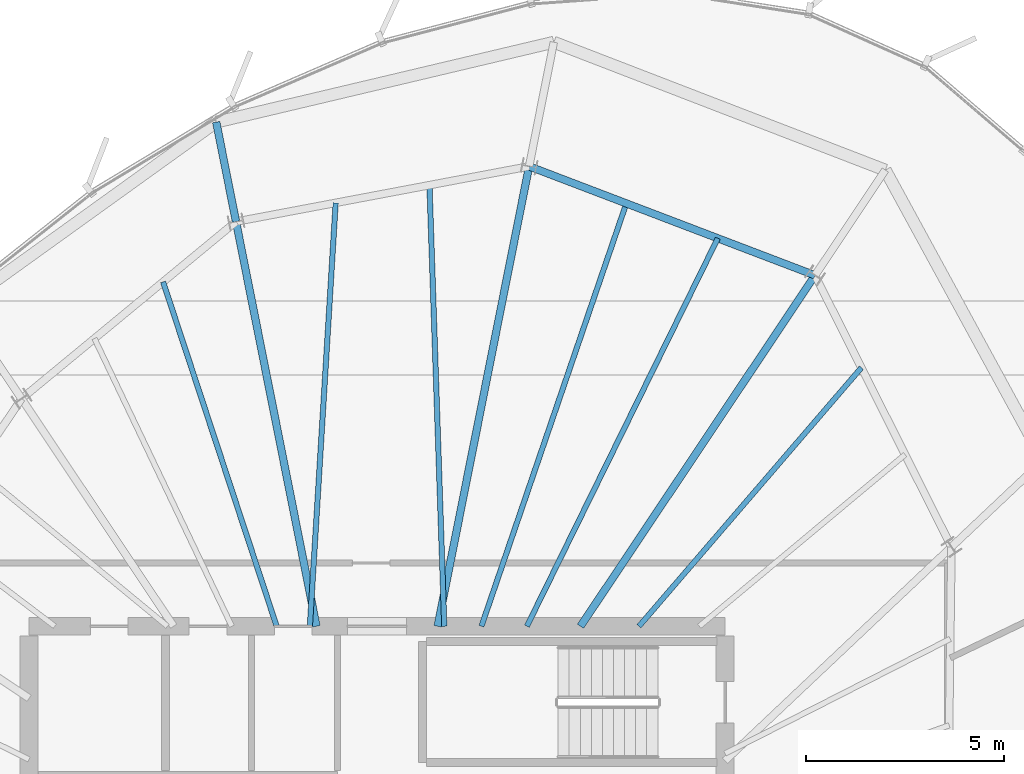
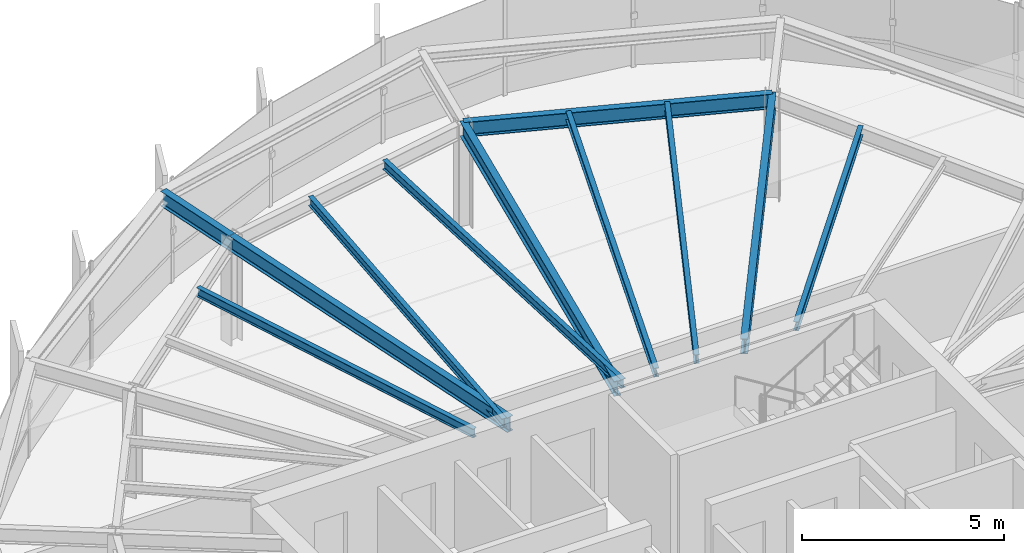
# One storey, part 20 of 33: 11 beams.
"""IFC4 building model written with IfcOpenShell, lengths in metres."""

import ifcopenshell
import ifcopenshell.guid

model = None  # the IFC model being written
_history = None  # IfcOwnerHistory: only IFC2X3 demands one
_inside = {}  # id of a spatial element -> (the spatial element, [elements in it])
_under = {}  # id of a project, library or spatial element -> (it, [spatial elements below it])
_declared = {}  # id of a project -> (the project, [libraries it declares])
_typed = {}  # id of a type object -> (the type object, [elements of that type])
_made_of = {}  # id of a material, layer set ... -> (it, [elements and type objects made of it])


def new_model(schema):
    """Start an empty IFC model of exactly this schema.

    Asked for "IFC4X3", IfcOpenShell would pick the latest addendum, in which some entities
    have other attributes; the version numbers below select the first issue.
    IFC2X3 requires an IfcOwnerHistory on every rooted entity: one is made here for all.
    """
    global model, _history
    if schema == "IFC4X3":
        model = ifcopenshell.file(schema_version=(4, 3, 0, 0))
    else:
        model = ifcopenshell.file(schema=schema)
    _inside.clear()
    _under.clear()
    _declared.clear()
    _typed.clear()
    _made_of.clear()
    _history = None
    if model.schema == "IFC2X3":
        org = make("IfcOrganization", Name="unknown")
        user = make(
            "IfcPersonAndOrganization",
            ThePerson=make("IfcPerson", FamilyName="unknown"),
            TheOrganization=org,
        )
        app = make(
            "IfcApplication",
            ApplicationDeveloper=org,
            Version="unknown",
            ApplicationFullName="unknown",
            ApplicationIdentifier="unknown",
        )
        _history = make(
            "IfcOwnerHistory",
            OwningUser=user,
            OwningApplication=app,
            ChangeAction="ADDED",
            CreationDate=0,
        )
    return model


def make(cls, **values):
    """One entity of the class cls with the attributes given. An attribute that is None is left unset."""
    return model.create_entity(
        cls, **{name: value for name, value in values.items() if value is not None}
    )


def rooted(cls, **values):
    """An entity with a GlobalId (a new one), such as an element, a storey or a relation."""
    return make(cls, GlobalId=ifcopenshell.guid.new(), OwnerHistory=_history, **values)


def si_unit(unit_type, name, prefix=None):
    """IfcSIUnit, for example si_unit("LENGTHUNIT", "METRE", prefix="MILLI")."""
    return make("IfcSIUnit", UnitType=unit_type, Prefix=prefix, Name=name)


def assignment(units):
    """IfcUnitAssignment: the units of a project."""
    return None if units is None else make("IfcUnitAssignment", Units=units)


def point(xyz):
    """IfcCartesianPoint."""
    return None if xyz is None else make("IfcCartesianPoint", Coordinates=xyz)


def direction(xyz):
    """IfcDirection."""
    return None if xyz is None else make("IfcDirection", DirectionRatios=xyz)


def frame(location, z_axis=None, x_axis=None):
    """IfcAxis2Placement3D, a coordinate frame: its origin and axes. An axis left out is left unset."""
    return make(
        "IfcAxis2Placement3D",
        Location=point(location),
        Axis=direction(z_axis),
        RefDirection=direction(x_axis),
    )


def frame_2d(location, x_axis=None):
    """IfcAxis2Placement2D, a coordinate frame in the plane: its origin and x axis."""
    return make(
        "IfcAxis2Placement2D", Location=point(location), RefDirection=direction(x_axis)
    )


def origin():
    """The frame at (0, 0, 0) with its axes left unset."""
    return frame((0.0, 0.0, 0.0))


def origin_2d():
    """The frame at (0, 0) in the plane with its x axis left unset."""
    return frame_2d((0.0, 0.0))


def place(relative_to, where):
    """IfcLocalPlacement: puts the frame where relative to a parent placement (None: the world)."""
    return make(
        "IfcLocalPlacement", PlacementRelTo=relative_to, RelativePlacement=where
    )


def context(
    kind, dimensions, precision=None, world=None, true_north=None, identifier=None
):
    """IfcGeometricRepresentationContext, for example the 3D "Model" context."""
    return make(
        "IfcGeometricRepresentationContext",
        ContextIdentifier=identifier,
        ContextType=kind,
        CoordinateSpaceDimension=dimensions,
        Precision=precision,
        WorldCoordinateSystem=world,
        TrueNorth=true_north,
    )


def subcontext(parent, identifier, kind, view, scale=None):
    """IfcGeometricRepresentationSubContext, for example "Body" below "Model"."""
    return make(
        "IfcGeometricRepresentationSubContext",
        ContextIdentifier=identifier,
        ContextType=kind,
        ParentContext=parent,
        TargetScale=scale,
        TargetView=view,
    )


def project(units=None, contexts=None):
    """IfcProject with its units and contexts."""
    return rooted(
        "IfcProject",
        Name="project",
        RepresentationContexts=contexts,
        UnitsInContext=assignment(units),
    )


def spatial(cls, under=None, at=None, **own):
    """A site, building, storey or space (cls), placed at a placement, below another one or the project."""
    s = rooted(cls, ObjectPlacement=at, **own)
    if under is not None:
        _under.setdefault(under.id(), (under, []))[1].append(s)
    return s


def profile(cls, at=None, kind="AREA", **sizes):
    """A parametric profile (cls). Its sizes go by their IFC names, for example OverallWidth=200.0."""
    return make(cls, ProfileType=kind, Position=at, **sizes)


def i_section(**sizes):
    """IfcIShapeProfileDef."""
    return profile("IfcIShapeProfileDef", **sizes)


def extrude(swept, where, along, depth):
    """IfcExtrudedAreaSolid: the profile swept, set in the frame where, extruded along a direction by depth."""
    return make(
        "IfcExtrudedAreaSolid",
        SweptArea=swept,
        Position=where,
        ExtrudedDirection=direction(along),
        Depth=depth,
    )


def shape(context_of_items, identifier, shape_type, items):
    """IfcShapeRepresentation: the items that make up one representation, for example the "Body"."""
    return make(
        "IfcShapeRepresentation",
        ContextOfItems=context_of_items,
        RepresentationIdentifier=identifier,
        RepresentationType=shape_type,
        Items=items,
    )


def source(mapping_origin, context_of_items, identifier, shape_type, items):
    """IfcRepresentationMap: a shape defined once, which mapped items show again and again."""
    return make(
        "IfcRepresentationMap",
        MappingOrigin=mapping_origin,
        MappedRepresentation=shape(context_of_items, identifier, shape_type, items),
    )


def transform(
    local_origin,
    x_axis=None,
    y_axis=None,
    z_axis=None,
    scale=None,
    scale2=None,
    scale3=None,
    uniform=True,
):
    """IfcCartesianTransformationOperator3D, or its non-uniform kind. x_axis, y_axis, z_axis: its Axis1, 2, 3."""
    if uniform:
        return make(
            "IfcCartesianTransformationOperator3D",
            Axis1=direction(x_axis),
            Axis2=direction(y_axis),
            LocalOrigin=point(local_origin),
            Scale=scale,
            Axis3=direction(z_axis),
        )
    return make(
        "IfcCartesianTransformationOperator3DnonUniform",
        Axis1=direction(x_axis),
        Axis2=direction(y_axis),
        LocalOrigin=point(local_origin),
        Scale=scale,
        Axis3=direction(z_axis),
        Scale2=scale2,
        Scale3=scale3,
    )


def mapped(mapping_source, mapping_target):
    """IfcMappedItem: shows the shape of a source again, moved by a transform."""
    return make(
        "IfcMappedItem", MappingSource=mapping_source, MappingTarget=mapping_target
    )


def material(Name=None, Category=None):
    """IfcMaterial."""
    return make("IfcMaterial", Name=Name, Category=Category)


def material_profile(
    of_material, cross_section, Name=None, Category=None, Priority=None
):
    """IfcMaterialProfile: a cross section and its material."""
    return make(
        "IfcMaterialProfile",
        Name=Name,
        Material=of_material,
        Profile=cross_section,
        Priority=Priority,
        Category=Category,
    )


def profile_set(profiles, Name=None, composite=None):
    """IfcMaterialProfileSet."""
    return make(
        "IfcMaterialProfileSet",
        Name=Name,
        MaterialProfiles=profiles,
        CompositeProfile=composite,
    )


def made_of(thing, what):
    """Note that an element or type object is made of a material, layer set ...; save() writes the relation."""
    if what is not None:
        _made_of.setdefault(what.id(), (what, []))[1].append(thing)
    return thing


def type_object(cls, material=None, **own):
    """A type object (cls), such as IfcWallType, which elements share."""
    return made_of(rooted(cls, **own), material)


def element(
    cls,
    number,
    at=None,
    inside=None,
    cuts=None,
    type_object=None,
    material=None,
    context=None,
    identifier="Body",
    shape_type=None,
    held_by="IfcProductDefinitionShape",
    body=None,
    shapes=None,
    **own,
):
    """One element of the class cls, such as IfcWall. Its Tag is "e" and its number.

    at: its placement. inside: the storey or other place that contains it. cuts: it is an
    opening in that element (IfcRelVoidsElement). A single representation is given by context,
    identifier, shape_type and body (its items); several are given by shapes. held_by: the class
    of the entity that holds the representations. save() writes the other relations.
    """
    e = rooted(cls, Tag="e%d" % number, ObjectPlacement=at, **own)
    if body is not None:
        shapes = [shape(context, identifier, shape_type, body)]
    if shapes is not None:
        e.Representation = make(held_by, Representations=shapes)
    if inside is not None:
        _inside.setdefault(inside.id(), (inside, []))[1].append(e)
    if cuts is not None:
        rooted(
            "IfcRelVoidsElement", RelatingBuildingElement=cuts, RelatedOpeningElement=e
        )
    if type_object is not None:
        _typed.setdefault(type_object.id(), (type_object, []))[1].append(e)
    return made_of(e, material)


def aggregate(whole, parts):
    """IfcRelAggregates: a whole, such as a stair, and the parts it consists of."""
    return rooted("IfcRelAggregates", RelatingObject=whole, RelatedObjects=parts)


def save(model, path):
    """Write the relations noted so far, then the file.

    IfcRelAggregates (storeys below a building ...), IfcRelContainedInSpatialStructure (elements
    in a storey), IfcRelDefinesByType, IfcRelAssociatesMaterial and IfcRelDeclares: one each for
    every whole, place, type object, material and project.
    """
    for whole, parts in _under.values():
        aggregate(whole, parts)
    for where, things in _inside.values():
        rooted(
            "IfcRelContainedInSpatialStructure",
            RelatedElements=things,
            RelatingStructure=where,
        )
    for kind, things in _typed.values():
        rooted("IfcRelDefinesByType", RelatedObjects=things, RelatingType=kind)
    for what, things in _made_of.values():
        rooted("IfcRelAssociatesMaterial", RelatedObjects=things, RelatingMaterial=what)
    for by, libraries in _declared.values():
        rooted("IfcRelDeclares", RelatingContext=by, RelatedDefinitions=libraries)
    model.write(path)


model = new_model("IFC4")

# Units and contexts
model_context = context("Model", 3, precision=1e-05, world=origin(), true_north=direction((0.0, 1.0)))
body_context = subcontext(model_context, "Body", "Model", "MODEL_VIEW")
ifc_project = project(units=[si_unit("LENGTHUNIT", "METRE"), si_unit("AREAUNIT", "SQUARE_METRE"), si_unit("VOLUMEUNIT", "CUBIC_METRE"), si_unit("PLANEANGLEUNIT", "RADIAN"), si_unit("MASSUNIT", "GRAM", prefix="KILO"), si_unit("THERMODYNAMICTEMPERATUREUNIT", "KELVIN")], contexts=[model_context])

# Site, building, storey
site_placement = place(None, origin())
site = spatial("IfcSite", under=ifc_project, at=site_placement, CompositionType="ELEMENT")
building_placement = place(site_placement, origin())
building = spatial("IfcBuilding", under=site, at=building_placement, Name="Kethvar Cultural Tower", CompositionType="ELEMENT")
storey_placement = place(building_placement, frame((0.0, 0.0, 266.35009765625)))
storey = spatial("IfcBuildingStorey", under=building, at=storey_placement, Name="L70", CompositionType="ELEMENT", Elevation=266.35009765625)

# Beams
ifc_material = material(Name="Steel S355J2", Category="steel")
ifc_material_profile_1 = material_profile(ifc_material, i_section(OverallWidth=0.18994140625, OverallDepth=0.449951171875, WebThickness=0.009521484375, FlangeThickness=0.0146484375, FilletRadius=0.02099609375, at=origin_2d()), Name="Steel S355J2 — IPE450")
ifc_profile_set_1 = profile_set([ifc_material_profile_1], Name="Steel S355J2 — IPE450")
beam_type_1 = type_object("IfcBeamType", Name="BM-IPE450", PredefinedType="BEAM", material=ifc_profile_set_1)
shared_shape_1 = source(origin(), body_context, "Body", "SweptSolid", [
    extrude(i_section(OverallWidth=0.18994140625, OverallDepth=0.449951171875, WebThickness=0.009521484375, FlangeThickness=0.0146484375, FilletRadius=0.02099609375, at=origin_2d()), origin(), (0.0, 0.0, 1.0), 10.673828125),
])
beam_1_placement = place(storey_placement, frame((51.945068359375, 35.5, 2.98291015625), z_axis=(0.555576086183, 0.831465701314, 0.0), x_axis=(-0.831465701314, 0.555576086183, 0.0)))
element("IfcBeam", 1, at=beam_1_placement, inside=storey, type_object=beam_type_1, Name="L70 Primary Radial Beam RB-03", PredefinedType="BEAM", context=body_context, shape_type="MappedRepresentation", body=[
    mapped(shared_shape_1, transform((0.0, 0.0, 0.0), scale=1.0)),
])
shared_shape_2 = source(origin(), body_context, "Body", "SweptSolid", [
    extrude(i_section(OverallWidth=0.18994140625, OverallDepth=0.449951171875, WebThickness=0.009521484375, FlangeThickness=0.0146484375, FilletRadius=0.02099609375, at=origin_2d()), origin(), (0.0, 0.0, 1.0), 11.859375),
])
beam_2_placement = place(storey_placement, frame((48.33154296875, 35.5, 2.98291015625), z_axis=(0.195094640585, 0.980784421377, 0.0), x_axis=(-0.980784421377, 0.195094640585, 0.0)))
element("IfcBeam", 2, at=beam_2_placement, inside=storey, type_object=beam_type_1, Name="L70 Primary Radial Beam RB-04", PredefinedType="BEAM", context=body_context, shape_type="MappedRepresentation", body=[
    mapped(shared_shape_2, transform((0.0, 0.0, 0.0), scale=1.0)),
])
shared_shape_3 = source(origin(), body_context, "Body", "SweptSolid", [
    extrude(i_section(OverallWidth=0.18994140625, OverallDepth=0.449951171875, WebThickness=0.009521484375, FlangeThickness=0.0146484375, FilletRadius=0.02099609375, at=origin_2d()), origin(), (0.0, 0.0, 1.0), 10.432861328125),
])
beam_3_placement = place(storey_placement, frame((45.268310546875, 35.5, 2.98291015625), z_axis=(-0.195094483249, 0.980784452673, 0.0), x_axis=(-0.980784452673, -0.195094483249, 0.0)))
element("IfcBeam", 3, at=beam_3_placement, inside=storey, type_object=beam_type_1, Name="L70 Primary Radial Beam RB-05", PredefinedType="BEAM", context=body_context, shape_type="MappedRepresentation", body=[
    mapped(shared_shape_3, transform((0.0, 0.0, 0.0), scale=1.0)),
])
ifc_material_profile_2 = material_profile(ifc_material, i_section(OverallWidth=0.135009765625, OverallDepth=0.27001953125, WebThickness=0.006591796875, FlangeThickness=0.01025390625, FilletRadius=0.014892578125, at=origin_2d()), Name="Steel S355J2 — IPE270")
ifc_profile_set_2 = profile_set([ifc_material_profile_2], Name="Steel S355J2 — IPE270")
beam_type_2 = type_object("IfcBeamType", Name="BM-J270", PredefinedType="JOIST", material=ifc_profile_set_2)
shared_shape_4 = source(origin(), body_context, "Body", "SweptSolid", [
    extrude(i_section(OverallWidth=0.135009765625, OverallDepth=0.27001953125, WebThickness=0.006591796875, FlangeThickness=0.01025390625, FilletRadius=0.014892578125, at=origin_2d()), origin(), (0.0, 0.0, 1.0), 8.6259765625),
])
beam_4_placement = place(storey_placement, frame((53.42333984375, 35.5, 3.072998046875), z_axis=(0.65210499689, 0.758128665222, 0.0), x_axis=(-0.758128665222, 0.65210499689, 0.0)))
element("IfcBeam", 4, at=beam_4_placement, inside=storey, type_object=beam_type_2, Name="L70 Composite Floor Joist J-02B", PredefinedType="JOIST", context=body_context, shape_type="MappedRepresentation", body=[
    mapped(shared_shape_4, transform((0.0, 0.0, 0.0), scale=1.0)),
])
shared_shape_5 = source(origin(), body_context, "Body", "SweptSolid", [
    extrude(i_section(OverallWidth=0.18994140625, OverallDepth=0.449951171875, WebThickness=0.009521484375, FlangeThickness=0.0146484375, FilletRadius=0.02099609375, at=origin_2d()), origin(), (0.0, 0.0, 1.0), 7.737548828125),
])
beam_5_placement = place(storey_placement, frame((57.875244140625, 44.375, 2.98291015625), z_axis=(-0.934388230776, 0.356256416347, 0.0), x_axis=(-0.356256416347, -0.934388230776, 0.0)))
element("IfcBeam", 5, at=beam_5_placement, inside=storey, type_object=beam_type_1, Name="L70 Column Ring Tie Beam CR-03", PredefinedType="BEAM", context=body_context, shape_type="MappedRepresentation", body=[
    mapped(shared_shape_5, transform((0.0, 0.0, 0.0), scale=1.0)),
])
shared_shape_6 = source(origin(), body_context, "Body", "SweptSolid", [
    extrude(i_section(OverallWidth=0.135009765625, OverallDepth=0.27001953125, WebThickness=0.006591796875, FlangeThickness=0.01025390625, FilletRadius=0.014892578125, at=origin_2d()), origin(), (0.0, 0.0, 1.0), 10.935791015625),
])
beam_6_placement = place(storey_placement, frame((50.5888671875, 35.5, 3.072998046875), z_axis=(0.441498236677, 0.897262117227, 0.0), x_axis=(-0.897262117227, 0.441498236677, 0.0)))
element("IfcBeam", 6, at=beam_6_placement, inside=storey, type_object=beam_type_2, Name="L70 Composite Floor Joist J-03A", PredefinedType="JOIST", context=body_context, shape_type="MappedRepresentation", body=[
    mapped(shared_shape_6, transform((0.0, 0.0, 0.0), scale=1.0)),
])
shared_shape_7 = source(origin(), body_context, "Body", "SweptSolid", [
    extrude(i_section(OverallWidth=0.135009765625, OverallDepth=0.27001953125, WebThickness=0.006591796875, FlangeThickness=0.01025390625, FilletRadius=0.014892578125, at=origin_2d()), origin(), (0.0, 0.0, 1.0), 11.304931640625),
])
beam_7_placement = place(storey_placement, frame((49.438720703125, 35.5, 3.072998046875), z_axis=(0.324179110764, 0.945995720997, 0.0), x_axis=(-0.945995720997, 0.324179110764, 0.0)))
element("IfcBeam", 7, at=beam_7_placement, inside=storey, type_object=beam_type_2, Name="L70 Composite Floor Joist J-03B", PredefinedType="JOIST", context=body_context, shape_type="MappedRepresentation", body=[
    mapped(shared_shape_7, transform((0.0, 0.0, 0.0), scale=1.0)),
])
shared_shape_8 = source(origin(), body_context, "Body", "SweptSolid", [
    extrude(i_section(OverallWidth=0.135009765625, OverallDepth=0.27001953125, WebThickness=0.006591796875, FlangeThickness=0.01025390625, FilletRadius=0.014892578125, at=origin_2d()), origin(), (0.0, 0.0, 1.0), 11.162109375),
])
beam_8_placement = place(storey_placement, frame((48.5, 35.5, 3.072998046875), z_axis=(-0.0335959409, 0.999435497046, 0.0), x_axis=(-0.999435497046, -0.0335959409, 0.0)))
element("IfcBeam", 8, at=beam_8_placement, inside=storey, type_object=beam_type_2, Name="L70 Composite Floor Joist J-04A", PredefinedType="JOIST", context=body_context, shape_type="MappedRepresentation", body=[
    mapped(shared_shape_8, transform((0.0, 0.0, 0.0), scale=1.0)),
])
shared_shape_9 = source(origin(), body_context, "Body", "SweptSolid", [
    extrude(i_section(OverallWidth=0.135009765625, OverallDepth=0.27001953125, WebThickness=0.006591796875, FlangeThickness=0.01025390625, FilletRadius=0.014892578125, at=origin_2d()), origin(), (0.0, 0.0, 1.0), 10.727783203125),
])
beam_9_placement = place(storey_placement, frame((45.10009765625, 35.5, 3.072998046875), z_axis=(0.060876395586, 0.998145312297, 0.0), x_axis=(-0.998145312297, 0.060876395586, 0.0)))
element("IfcBeam", 9, at=beam_9_placement, inside=storey, type_object=beam_type_2, Name="L70 Composite Floor Joist J-04B", PredefinedType="JOIST", context=body_context, shape_type="MappedRepresentation", body=[
    mapped(shared_shape_9, transform((0.0, 0.0, 0.0), scale=1.0)),
])
shared_shape_10 = source(origin(), body_context, "Body", "SweptSolid", [
    extrude(i_section(OverallWidth=0.135009765625, OverallDepth=0.27001953125, WebThickness=0.006591796875, FlangeThickness=0.01025390625, FilletRadius=0.014892578125, at=origin_2d()), origin(), (0.0, 0.0, 1.0), 9.17138671875),
])
beam_10_placement = place(storey_placement, frame((44.260986328125, 35.5, 3.072998046875), z_axis=(-0.313151555446, 0.949703165901, 0.0), x_axis=(-0.949703165901, -0.313151555446, 0.0)))
element("IfcBeam", 10, at=beam_10_placement, inside=storey, type_object=beam_type_2, Name="L70 Composite Floor Joist J-05A", PredefinedType="JOIST", context=body_context, shape_type="MappedRepresentation", body=[
    mapped(shared_shape_10, transform((0.0, 0.0, 0.0), scale=1.0)),
])
shared_shape_11 = source(origin(), body_context, "Body", "SweptSolid", [
    extrude(i_section(OverallWidth=0.18994140625, OverallDepth=0.449951171875, WebThickness=0.009521484375, FlangeThickness=0.0146484375, FilletRadius=0.02099609375, at=origin_2d()), origin(), (0.0, 0.0, 1.0), 2.56640625),
])
beam_11_placement = place(storey_placement, frame((43.23291015625, 45.732421875, 2.98291015625), z_axis=(-0.195018348018, 0.980799594176, 0.0), x_axis=(-0.980799594176, -0.195018348018, 0.0)))
element("IfcBeam", 11, at=beam_11_placement, inside=storey, type_object=beam_type_1, Name="L70 Perimeter Cantilever Beam RC-05", PredefinedType="BEAM", context=body_context, shape_type="MappedRepresentation", body=[
    mapped(shared_shape_11, transform((0.0, 0.0, 0.0), scale=1.0)),
])

save(model, "model.ifc")
